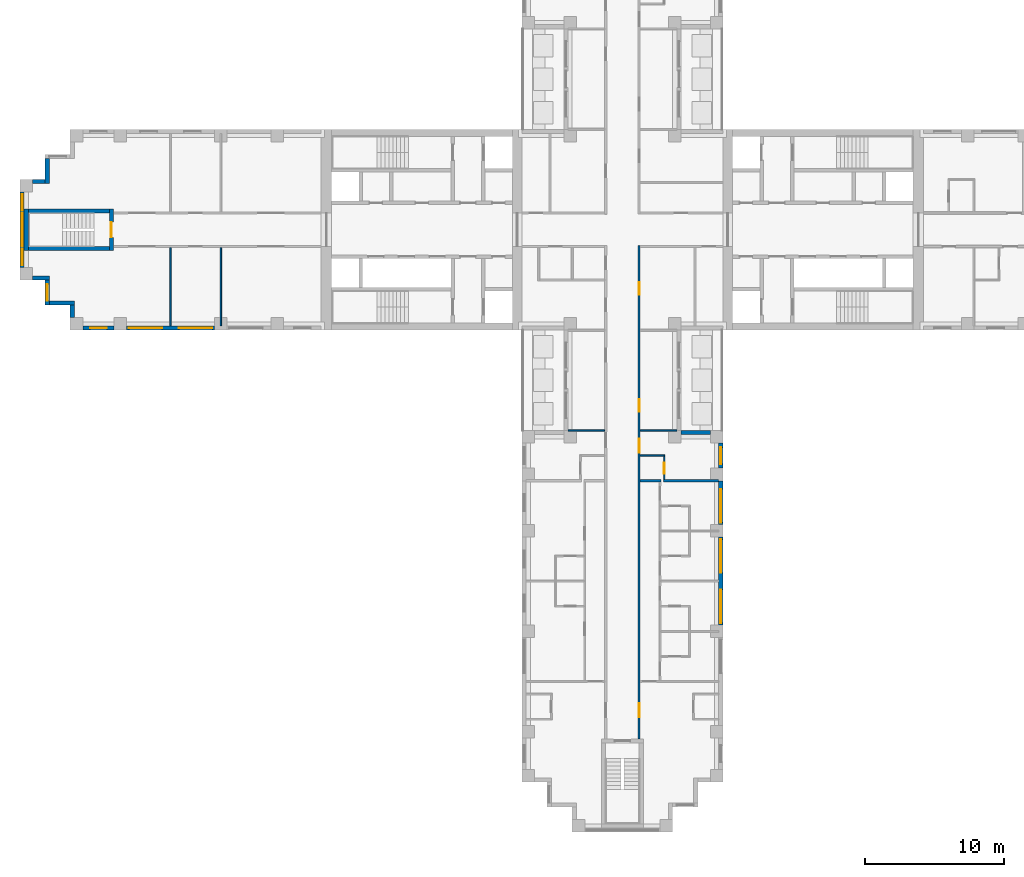
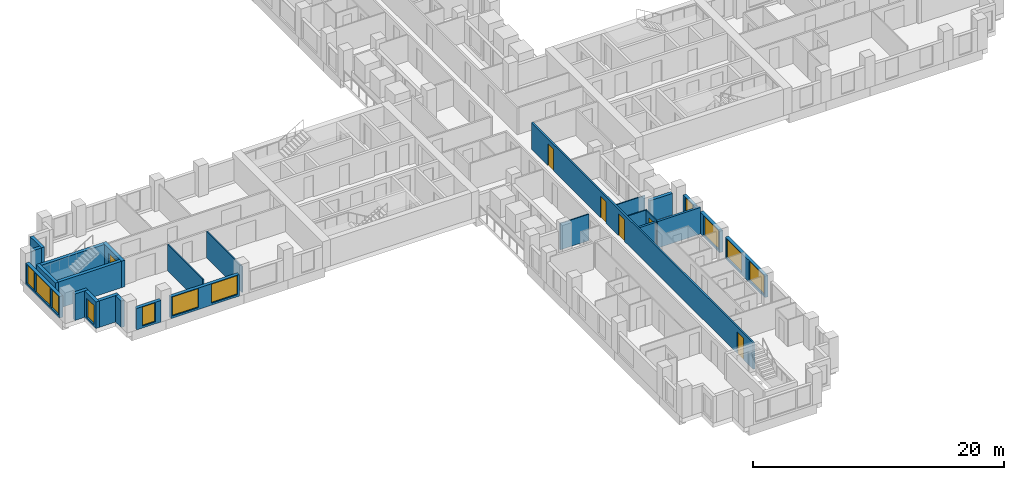
# One storey, part 5 of 15: 26 walls, 11 windows, 6 doors, 17 openings.
"""IFC4 building model written with IfcOpenShell, lengths in metres."""

import ifcopenshell
import ifcopenshell.guid

model = None  # the IFC model being written
_history = None  # IfcOwnerHistory: only IFC2X3 demands one
_inside = {}  # id of a spatial element -> (the spatial element, [elements in it])
_under = {}  # id of a project, library or spatial element -> (it, [spatial elements below it])
_declared = {}  # id of a project -> (the project, [libraries it declares])
_typed = {}  # id of a type object -> (the type object, [elements of that type])
_made_of = {}  # id of a material, layer set ... -> (it, [elements and type objects made of it])


def new_model(schema):
    """Start an empty IFC model of exactly this schema.

    Asked for "IFC4X3", IfcOpenShell would pick the latest addendum, in which some entities
    have other attributes; the version numbers below select the first issue.
    IFC2X3 requires an IfcOwnerHistory on every rooted entity: one is made here for all.
    """
    global model, _history
    if schema == "IFC4X3":
        model = ifcopenshell.file(schema_version=(4, 3, 0, 0))
    else:
        model = ifcopenshell.file(schema=schema)
    _inside.clear()
    _under.clear()
    _declared.clear()
    _typed.clear()
    _made_of.clear()
    _history = None
    if model.schema == "IFC2X3":
        org = make("IfcOrganization", Name="unknown")
        user = make(
            "IfcPersonAndOrganization",
            ThePerson=make("IfcPerson", FamilyName="unknown"),
            TheOrganization=org,
        )
        app = make(
            "IfcApplication",
            ApplicationDeveloper=org,
            Version="unknown",
            ApplicationFullName="unknown",
            ApplicationIdentifier="unknown",
        )
        _history = make(
            "IfcOwnerHistory",
            OwningUser=user,
            OwningApplication=app,
            ChangeAction="ADDED",
            CreationDate=0,
        )
    return model


def make(cls, **values):
    """One entity of the class cls with the attributes given. An attribute that is None is left unset."""
    return model.create_entity(
        cls, **{name: value for name, value in values.items() if value is not None}
    )


def rooted(cls, **values):
    """An entity with a GlobalId (a new one), such as an element, a storey or a relation."""
    return make(cls, GlobalId=ifcopenshell.guid.new(), OwnerHistory=_history, **values)


def si_unit(unit_type, name, prefix=None):
    """IfcSIUnit, for example si_unit("LENGTHUNIT", "METRE", prefix="MILLI")."""
    return make("IfcSIUnit", UnitType=unit_type, Prefix=prefix, Name=name)


def assignment(units):
    """IfcUnitAssignment: the units of a project."""
    return None if units is None else make("IfcUnitAssignment", Units=units)


def point(xyz):
    """IfcCartesianPoint."""
    return None if xyz is None else make("IfcCartesianPoint", Coordinates=xyz)


def direction(xyz):
    """IfcDirection."""
    return None if xyz is None else make("IfcDirection", DirectionRatios=xyz)


def frame(location, z_axis=None, x_axis=None):
    """IfcAxis2Placement3D, a coordinate frame: its origin and axes. An axis left out is left unset."""
    return make(
        "IfcAxis2Placement3D",
        Location=point(location),
        Axis=direction(z_axis),
        RefDirection=direction(x_axis),
    )


def frame_2d(location, x_axis=None):
    """IfcAxis2Placement2D, a coordinate frame in the plane: its origin and x axis."""
    return make(
        "IfcAxis2Placement2D", Location=point(location), RefDirection=direction(x_axis)
    )


def origin():
    """The frame at (0, 0, 0) with its axes left unset."""
    return frame((0.0, 0.0, 0.0))


def place(relative_to, where):
    """IfcLocalPlacement: puts the frame where relative to a parent placement (None: the world)."""
    return make(
        "IfcLocalPlacement", PlacementRelTo=relative_to, RelativePlacement=where
    )


def context(
    kind, dimensions, precision=None, world=None, true_north=None, identifier=None
):
    """IfcGeometricRepresentationContext, for example the 3D "Model" context."""
    return make(
        "IfcGeometricRepresentationContext",
        ContextIdentifier=identifier,
        ContextType=kind,
        CoordinateSpaceDimension=dimensions,
        Precision=precision,
        WorldCoordinateSystem=world,
        TrueNorth=true_north,
    )


def subcontext(parent, identifier, kind, view, scale=None):
    """IfcGeometricRepresentationSubContext, for example "Body" below "Model"."""
    return make(
        "IfcGeometricRepresentationSubContext",
        ContextIdentifier=identifier,
        ContextType=kind,
        ParentContext=parent,
        TargetScale=scale,
        TargetView=view,
    )


def project(units=None, contexts=None):
    """IfcProject with its units and contexts."""
    return rooted(
        "IfcProject",
        Name="project",
        RepresentationContexts=contexts,
        UnitsInContext=assignment(units),
    )


def spatial(cls, under=None, at=None, **own):
    """A site, building, storey or space (cls), placed at a placement, below another one or the project."""
    s = rooted(cls, ObjectPlacement=at, **own)
    if under is not None:
        _under.setdefault(under.id(), (under, []))[1].append(s)
    return s


def profile(cls, at=None, kind="AREA", **sizes):
    """A parametric profile (cls). Its sizes go by their IFC names, for example OverallWidth=200.0."""
    return make(cls, ProfileType=kind, Position=at, **sizes)


def rectangle(**sizes):
    """IfcRectangleProfileDef."""
    return profile("IfcRectangleProfileDef", **sizes)


def extrude(swept, where, along, depth):
    """IfcExtrudedAreaSolid: the profile swept, set in the frame where, extruded along a direction by depth."""
    return make(
        "IfcExtrudedAreaSolid",
        SweptArea=swept,
        Position=where,
        ExtrudedDirection=direction(along),
        Depth=depth,
    )


def shape(context_of_items, identifier, shape_type, items):
    """IfcShapeRepresentation: the items that make up one representation, for example the "Body"."""
    return make(
        "IfcShapeRepresentation",
        ContextOfItems=context_of_items,
        RepresentationIdentifier=identifier,
        RepresentationType=shape_type,
        Items=items,
    )


def material(Name=None, Category=None):
    """IfcMaterial."""
    return make("IfcMaterial", Name=Name, Category=Category)


def layer(
    of_material, thickness, ventilated=None, Name=None, Category=None, Priority=None
):
    """IfcMaterialLayer: one layer of a wall or slab, of a material (None: an air gap)."""
    return make(
        "IfcMaterialLayer",
        Material=of_material,
        LayerThickness=thickness,
        IsVentilated=ventilated,
        Name=Name,
        Category=Category,
        Priority=Priority,
    )


def layer_set(layers, Name=None):
    """IfcMaterialLayerSet."""
    return make("IfcMaterialLayerSet", MaterialLayers=layers, LayerSetName=Name)


def made_of(thing, what):
    """Note that an element or type object is made of a material, layer set ...; save() writes the relation."""
    if what is not None:
        _made_of.setdefault(what.id(), (what, []))[1].append(thing)
    return thing


def type_object(cls, material=None, **own):
    """A type object (cls), such as IfcWallType, which elements share."""
    return made_of(rooted(cls, **own), material)


def element(
    cls,
    number,
    at=None,
    inside=None,
    cuts=None,
    type_object=None,
    material=None,
    context=None,
    identifier="Body",
    shape_type=None,
    held_by="IfcProductDefinitionShape",
    body=None,
    shapes=None,
    **own,
):
    """One element of the class cls, such as IfcWall. Its Tag is "e" and its number.

    at: its placement. inside: the storey or other place that contains it. cuts: it is an
    opening in that element (IfcRelVoidsElement). A single representation is given by context,
    identifier, shape_type and body (its items); several are given by shapes. held_by: the class
    of the entity that holds the representations. save() writes the other relations.
    """
    e = rooted(cls, Tag="e%d" % number, ObjectPlacement=at, **own)
    if body is not None:
        shapes = [shape(context, identifier, shape_type, body)]
    if shapes is not None:
        e.Representation = make(held_by, Representations=shapes)
    if inside is not None:
        _inside.setdefault(inside.id(), (inside, []))[1].append(e)
    if cuts is not None:
        rooted(
            "IfcRelVoidsElement", RelatingBuildingElement=cuts, RelatedOpeningElement=e
        )
    if type_object is not None:
        _typed.setdefault(type_object.id(), (type_object, []))[1].append(e)
    return made_of(e, material)


def fill(opening, filler):
    """IfcRelFillsElement: the door or window that sits in an opening."""
    return rooted(
        "IfcRelFillsElement",
        RelatingOpeningElement=opening,
        RelatedBuildingElement=filler,
    )


def aggregate(whole, parts):
    """IfcRelAggregates: a whole, such as a stair, and the parts it consists of."""
    return rooted("IfcRelAggregates", RelatingObject=whole, RelatedObjects=parts)


def save(model, path):
    """Write the relations noted so far, then the file.

    IfcRelAggregates (storeys below a building ...), IfcRelContainedInSpatialStructure (elements
    in a storey), IfcRelDefinesByType, IfcRelAssociatesMaterial and IfcRelDeclares: one each for
    every whole, place, type object, material and project.
    """
    for whole, parts in _under.values():
        aggregate(whole, parts)
    for where, things in _inside.values():
        rooted(
            "IfcRelContainedInSpatialStructure",
            RelatedElements=things,
            RelatingStructure=where,
        )
    for kind, things in _typed.values():
        rooted("IfcRelDefinesByType", RelatedObjects=things, RelatingType=kind)
    for what, things in _made_of.values():
        rooted("IfcRelAssociatesMaterial", RelatedObjects=things, RelatingMaterial=what)
    for by, libraries in _declared.values():
        rooted("IfcRelDeclares", RelatingContext=by, RelatedDefinitions=libraries)
    model.write(path)


model = new_model("IFC4")

# Units and contexts
model_context = context("Model", 3, precision=1e-05, world=origin(), true_north=direction((0.0, 1.0)))
body_context = subcontext(model_context, "Body", "Model", "MODEL_VIEW")
ifc_project = project(units=[si_unit("LENGTHUNIT", "METRE"), si_unit("AREAUNIT", "SQUARE_METRE"), si_unit("VOLUMEUNIT", "CUBIC_METRE"), si_unit("PLANEANGLEUNIT", "RADIAN"), si_unit("MASSUNIT", "GRAM", prefix="KILO")], contexts=[model_context])

# Site, building, storey
site_placement = place(None, origin())
site = spatial("IfcSite", under=ifc_project, at=site_placement, CompositionType="ELEMENT")
building_placement = place(site_placement, origin())
building = spatial("IfcBuilding", under=site, at=building_placement, Name="Fustian Cross Tower", CompositionType="ELEMENT")
storey_placement = place(building_placement, frame((0.0, 0.0, 29.699951171875)))
storey = spatial("IfcBuildingStorey", under=building, at=storey_placement, Name="L08", CompositionType="ELEMENT", Elevation=29.699951171875)

# Wall, openings, doors
ifc_material_1 = material(Name="Plasterboard on steel stud", Category="steel")
ifc_layer_1 = layer(ifc_material_1, 0.14990234375)
ifc_layer_set_1 = layer_set([ifc_layer_1], Name="Plasterboard on steel stud")
wall_type_1 = type_object("IfcWallType", Name="COMPARTMENT WALL 150 EI 60", PredefinedType="PARTITIONING", material=ifc_layer_set_1)
wall_1_placement = place(storey_placement, frame((1.199951171875, -36.5, 0.0), z_axis=(0.0, 0.0, 1.0), x_axis=(0.0, 1.0, 0.0)))
wall_1 = element("IfcWall", 1, at=wall_1_placement, inside=storey, type_object=wall_type_1, Name="Partition 47", PredefinedType="PARTITIONING", context=body_context, shape_type="SweptSolid", body=[
    extrude(rectangle(XDim=35.375, YDim=0.14990234375, at=frame_2d((17.6875, 0.0))), origin(), (0.0, 0.0, 1.0), 2.574951171875),
])
opening_1_placement = place(wall_1_placement, frame((31.85009765625, 0.0, 0.0)))
opening_1 = element("IfcOpeningElement", 2, at=opening_1_placement, cuts=wall_1, Name="Opening D06005", PredefinedType="OPENING", context=body_context, shape_type="SweptSolid", body=[
    extrude(rectangle(XDim=0.89990234375, YDim=2.10009765625, at=frame_2d((0.449951171875, 1.050048828125))), frame((0.0, 0.0849609375, 0.0), z_axis=(0.0, -1.0, 0.0), x_axis=(1.0, 0.0, 0.0)), (0.0, 0.0, 1.0), 0.169921875),
])
opening_2_placement = place(wall_1_placement, frame((23.449951171875, 0.0, 0.0)))
opening_2 = element("IfcOpeningElement", 3, at=opening_2_placement, cuts=wall_1, Name="Opening D06048", PredefinedType="OPENING", context=body_context, shape_type="SweptSolid", body=[
    extrude(rectangle(XDim=0.89990234375, YDim=2.10009765625, at=frame_2d((0.449951171875, 1.050048828125))), frame((0.0, 0.0849609375, 0.0), z_axis=(0.0, -1.0, 0.0), x_axis=(1.0, 0.0, 0.0)), (0.0, 0.0, 1.0), 0.169921875),
])
opening_3_placement = place(wall_1_placement, frame((20.5, 0.0, 0.0)))
opening_3 = element("IfcOpeningElement", 4, at=opening_3_placement, cuts=wall_1, Name="Opening D06050", PredefinedType="OPENING", context=body_context, shape_type="SweptSolid", body=[
    extrude(rectangle(XDim=1.0, YDim=2.10009765625, at=frame_2d((0.5, 1.050048828125))), frame((0.0, 0.0849609375, 0.0), z_axis=(0.0, -1.0, 0.0), x_axis=(1.0, 0.0, 0.0)), (0.0, 0.0, 1.0), 0.169921875),
])
opening_4_placement = place(wall_1_placement, frame((1.550048828125, 0.0, 0.0)))
opening_4 = element("IfcOpeningElement", 5, at=opening_4_placement, cuts=wall_1, Name="Opening D06052", PredefinedType="OPENING", context=body_context, shape_type="SweptSolid", body=[
    extrude(rectangle(XDim=1.0, YDim=2.10009765625, at=frame_2d((0.5, 1.050048828125))), frame((0.0, 0.0849609375, 0.0), z_axis=(0.0, -1.0, 0.0), x_axis=(1.0, 0.0, 0.0)), (0.0, 0.0, 1.0), 0.169921875),
])
ifc_material_2 = material(Name="Timber fire door set", Category="wood")
door_type_1 = type_object("IfcDoorType", Name="FIRE SWING DOOR 1000 FD30S", OperationType="SINGLE_SWING_LEFT", PredefinedType="DOOR", material=ifc_material_2)
door_1_placement = place(opening_3_placement, frame((1.0, 0.0, 0.0), z_axis=(0.0, 0.0, 1.0), x_axis=(-1.0, 0.0, 0.0)))
door_1 = element("IfcDoor", 6, at=door_1_placement, inside=storey, type_object=door_type_1, Name="Door D06050", OperationType="SINGLE_SWING_RIGHT", OverallHeight=2.10009765625, OverallWidth=1.0, PredefinedType="DOOR", context=body_context, shape_type="SweptSolid", body=[
    extrude(rectangle(XDim=1.0, YDim=2.10009765625, at=frame_2d((0.5, 1.050048828125))), frame((0.0, 0.02490234375, 0.0), z_axis=(0.0, -1.0, 0.0), x_axis=(1.0, 0.0, 0.0)), (0.0, 0.0, 1.0), 0.050048828125),
])
fill(opening_3, door_1)
door_2_placement = place(opening_4_placement, frame((1.0, 0.0, 0.0), z_axis=(0.0, 0.0, 1.0), x_axis=(-1.0, 0.0, 0.0)))
door_2 = element("IfcDoor", 7, at=door_2_placement, inside=storey, type_object=door_type_1, Name="Door D06052", OperationType="SINGLE_SWING_LEFT", OverallHeight=2.10009765625, OverallWidth=1.0, PredefinedType="DOOR", context=body_context, shape_type="SweptSolid", body=[
    extrude(rectangle(XDim=1.0, YDim=2.10009765625, at=frame_2d((0.5, 1.050048828125))), frame((0.0, 0.02490234375, 0.0), z_axis=(0.0, -1.0, 0.0), x_axis=(1.0, 0.0, 0.0)), (0.0, 0.0, 1.0), 0.050048828125),
])
fill(opening_4, door_2)
ifc_material_3 = material(Name="Timber fire door set", Category="wood")
door_type_2 = type_object("IfcDoorType", Name="FIRE SWING DOOR 900 FD30S", OperationType="SINGLE_SWING_LEFT", PredefinedType="DOOR", material=ifc_material_3)
door_3_placement = place(opening_1_placement, frame((0.89990234375, 0.0, 0.0), z_axis=(0.0, 0.0, 1.0), x_axis=(-1.0, 0.0, 0.0)))
door_3 = element("IfcDoor", 8, at=door_3_placement, inside=storey, type_object=door_type_2, Name="Door D06005", OperationType="SINGLE_SWING_RIGHT", OverallHeight=2.10009765625, OverallWidth=0.89990234375, PredefinedType="DOOR", context=body_context, shape_type="SweptSolid", body=[
    extrude(rectangle(XDim=0.89990234375, YDim=2.10009765625, at=frame_2d((0.449951171875, 1.050048828125))), frame((0.0, 0.02490234375, 0.0), z_axis=(0.0, -1.0, 0.0), x_axis=(1.0, 0.0, 0.0)), (0.0, 0.0, 1.0), 0.050048828125),
])
fill(opening_1, door_3)
door_4_placement = place(opening_2_placement, frame((0.89990234375, 0.0, 0.0), z_axis=(0.0, 0.0, 1.0), x_axis=(-1.0, 0.0, 0.0)))
door_4 = element("IfcDoor", 9, at=door_4_placement, inside=storey, type_object=door_type_2, Name="Door D06048", OperationType="SINGLE_SWING_RIGHT", OverallHeight=2.10009765625, OverallWidth=0.89990234375, PredefinedType="DOOR", context=body_context, shape_type="SweptSolid", body=[
    extrude(rectangle(XDim=0.89990234375, YDim=2.10009765625, at=frame_2d((0.449951171875, 1.050048828125))), frame((0.0, 0.02490234375, 0.0), z_axis=(0.0, -1.0, 0.0), x_axis=(1.0, 0.0, 0.0)), (0.0, 0.0, 1.0), 0.050048828125),
])
fill(opening_2, door_4)

# Walls
ifc_material_4 = material(Name="Plasterboard on steel stud", Category="steel")
ifc_layer_2 = layer(ifc_material_4, 0.10009765625)
ifc_layer_set_2 = layer_set([ifc_layer_2], Name="Plasterboard on steel stud")
wall_type_2 = type_object("IfcWallType", Name="PARTITION 100 STUD", PredefinedType="PARTITIONING", material=ifc_layer_set_2)
for number, where, z_axis, x_axis, name in (
    (10, (-32.39990234375, -6.89990234375, 0.0), (0.0, 0.0, 1.0), (0.0, 1.0, 0.0), "Partition 3"),
    (11, (-28.800048828125, -6.89990234375, 0.0), (0.0, 0.0, 1.0), (0.0, 1.0, 0.0), "Partition 5"),
):
    element("IfcWall", number, at=place(storey_placement, frame(where, z_axis=z_axis, x_axis=x_axis)), inside=storey, type_object=wall_type_2, Name=name, PredefinedType="PARTITIONING", context=body_context, shape_type="SweptSolid", body=[
        extrude(rectangle(XDim=5.625, YDim=0.10009765625, at=frame_2d((2.8125, 0.0))), origin(), (0.0, 0.0, 1.0), 2.574951171875),
    ])
wall_2_placement = place(storey_placement, frame((-3.89990234375, -14.39990234375, 0.0), z_axis=(0.0, 0.0, 1.0), x_axis=(1.0, 0.0, 0.0)))
element("IfcWall", 12, at=wall_2_placement, inside=storey, type_object=wall_type_2, Name="Partition 35", PredefinedType="PARTITIONING", context=body_context, shape_type="SweptSolid", body=[
    extrude(rectangle(XDim=2.625, YDim=0.10009765625, at=frame_2d((1.3125, 0.0))), origin(), (0.0, 0.0, 1.0), 2.574951171875),
])
wall_3_placement = place(storey_placement, frame((1.27490234375, -16.199951171875, 0.0), z_axis=(0.0, 0.0, 1.0), x_axis=(1.0, 0.0, 0.0)))
element("IfcWall", 13, at=wall_3_placement, inside=storey, type_object=wall_type_2, Name="Partition 50", PredefinedType="PARTITIONING", context=body_context, shape_type="SweptSolid", body=[
    extrude(rectangle(XDim=1.775146484375, YDim=0.10009765625, at=frame_2d((0.8876953125, 0.0))), origin(), (0.0, 0.0, 1.0), 2.574951171875),
])
wall_4_placement = place(storey_placement, frame((1.27490234375, -14.39990234375, 0.0), z_axis=(0.0, 0.0, 1.0), x_axis=(1.0, 0.0, 0.0)))
element("IfcWall", 14, at=wall_4_placement, inside=storey, type_object=wall_type_2, Name="Partition 51", PredefinedType="PARTITIONING", context=body_context, shape_type="SweptSolid", body=[
    extrude(rectangle(XDim=2.625, YDim=0.10009765625, at=frame_2d((1.3125, 0.0))), origin(), (0.0, 0.0, 1.0), 2.574951171875),
])

# Wall, opening, door
wall_5_placement = place(storey_placement, frame((3.0, -17.89990234375, 0.0), z_axis=(0.0, 0.0, 1.0), x_axis=(0.0, 1.0, 0.0)))
wall_5 = element("IfcWall", 15, at=wall_5_placement, inside=storey, type_object=wall_type_2, Name="Partition 74", PredefinedType="PARTITIONING", context=body_context, shape_type="SweptSolid", body=[
    extrude(rectangle(XDim=1.64990234375, YDim=0.10009765625, at=frame_2d((0.824951171875, 0.0))), origin(), (0.0, 0.0, 1.0), 2.574951171875),
])
opening_5_placement = place(wall_5_placement, frame((0.39990234375, 0.0, 0.0)))
opening_5 = element("IfcOpeningElement", 16, at=opening_5_placement, cuts=wall_5, Name="Opening D06049", PredefinedType="OPENING", context=body_context, shape_type="SweptSolid", body=[
    extrude(rectangle(XDim=0.800048828125, YDim=2.10009765625, at=frame_2d((0.39990234375, 1.050048828125))), frame((0.0, 0.06005859375, 0.0), z_axis=(0.0, -1.0, 0.0), x_axis=(1.0, 0.0, 0.0)), (0.0, 0.0, 1.0), 0.1201171875),
])
ifc_material_5 = material(Name="Painted timber", Category="wood")
door_type_3 = type_object("IfcDoorType", Name="SWING DOOR 800", OperationType="SINGLE_SWING_LEFT", PredefinedType="DOOR", material=ifc_material_5)
door_5_placement = place(opening_5_placement, origin())
door_5 = element("IfcDoor", 17, at=door_5_placement, inside=storey, type_object=door_type_3, Name="Door D06049", OperationType="SINGLE_SWING_RIGHT", OverallHeight=2.10009765625, OverallWidth=0.800048828125, PredefinedType="DOOR", context=body_context, shape_type="SweptSolid", body=[
    extrude(rectangle(XDim=0.800048828125, YDim=2.10009765625, at=frame_2d((0.39990234375, 1.050048828125))), frame((0.0, 0.02490234375, 0.0), z_axis=(0.0, -1.0, 0.0), x_axis=(1.0, 0.0, 0.0)), (0.0, 0.0, 1.0), 0.050048828125),
])
fill(opening_5, door_5)

# Walls
ifc_material_6 = material(Name="Plasterboard on steel stud", Category="steel")
ifc_layer_3 = layer(ifc_material_6, 0.199951171875)
ifc_layer_set_3 = layer_set([ifc_layer_3], Name="Plasterboard on steel stud")
wall_type_3 = type_object("IfcWallType", Name="PARTY WALL 200 EI 60", PredefinedType="PARTITIONING", material=ifc_layer_set_3)
wall_6_placement = place(storey_placement, frame((1.27490234375, -18.0, 0.0), z_axis=(0.0, 0.0, 1.0), x_axis=(1.0, 0.0, 0.0)))
element("IfcWall", 18, at=wall_6_placement, inside=storey, type_object=wall_type_3, Name="Partition 49", PredefinedType="PARTITIONING", context=body_context, shape_type="SweptSolid", body=[
    extrude(rectangle(XDim=1.47509765625, YDim=0.199951171875, at=frame_2d((0.737548828125, 0.0))), origin(), (0.0, 0.0, 1.0), 2.574951171875),
])
wall_7_placement = place(storey_placement, frame((2.949951171875, -18.0, 0.0), z_axis=(0.0, 0.0, 1.0), x_axis=(1.0, 0.0, 0.0)))
element("IfcWall", 19, at=wall_7_placement, inside=storey, type_object=wall_type_3, Name="Partition 75", PredefinedType="PARTITIONING", context=body_context, shape_type="SweptSolid", body=[
    extrude(rectangle(XDim=3.949951171875, YDim=0.199951171875, at=frame_2d((1.97509765625, 0.0))), origin(), (0.0, 0.0, 1.0), 2.574951171875),
])

# Wall, opening, door
ifc_material_7 = material(Name="Concrete C50/60", Category="concrete")
ifc_layer_4 = layer(ifc_material_7, 0.300048828125)
ifc_layer_set_4 = layer_set([ifc_layer_4], Name="Concrete C50/60")
wall_type_4 = type_object("IfcWallType", Name="STAIR ENCLOSURE WALL 300 C50/60", PredefinedType="SHEAR", material=ifc_layer_set_4)
wall_8_placement = place(storey_placement, frame((-36.64990234375, -1.5, 0.0), z_axis=(0.0, 0.0, 1.0), x_axis=(0.0, 1.0, 0.0)))
wall_8 = element("IfcWall", 20, at=wall_8_placement, inside=storey, type_object=wall_type_4, Name="Stair enclosure wall", PredefinedType="SHEAR", context=body_context, shape_type="SweptSolid", body=[
    extrude(rectangle(XDim=3.0, YDim=0.300048828125, at=frame_2d((1.5, 0.0))), origin(), (0.0, 0.0, 1.0), 2.574951171875),
])
opening_6_placement = place(wall_8_placement, frame((0.949951171875, 0.0, 0.0)))
opening_6 = element("IfcOpeningElement", 21, at=opening_6_placement, cuts=wall_8, Name="Opening CD-06-34", PredefinedType="OPENING", context=body_context, shape_type="SweptSolid", body=[
    extrude(rectangle(XDim=1.10009765625, YDim=2.10009765625, at=frame_2d((0.550048828125, 1.050048828125))), frame((0.0, 0.159912109375, 0.0), z_axis=(0.0, -1.0, 0.0), x_axis=(1.0, 0.0, 0.0)), (0.0, 0.0, 1.0), 0.320068359375),
])
ifc_material_8 = material(Name="Steel", Category="steel")
door_type_4 = type_object("IfcDoorType", Name="FIRE DOOR FD60S 1100X2100", OperationType="SINGLE_SWING_LEFT", PredefinedType="DOOR", material=ifc_material_8)
door_6_placement = place(opening_6_placement, origin())
door_6 = element("IfcDoor", 22, at=door_6_placement, inside=storey, type_object=door_type_4, Name="Core door CD-06-34", OperationType="SINGLE_SWING_LEFT", OverallHeight=2.10009765625, OverallWidth=1.10009765625, PredefinedType="DOOR", context=body_context, shape_type="SweptSolid", body=[
    extrude(rectangle(XDim=1.10009765625, YDim=2.10009765625, at=frame_2d((0.550048828125, 1.050048828125))), frame((0.0, 0.02490234375, 0.0), z_axis=(0.0, -1.0, 0.0), x_axis=(1.0, 0.0, 0.0)), (0.0, 0.0, 1.0), 0.050048828125),
])
fill(opening_6, door_6)

# Walls
wall_9_placement = place(storey_placement, frame((-42.75, -1.5, 0.0), z_axis=(0.0, 0.0, 1.0), x_axis=(0.0, 1.0, 0.0)))
element("IfcWall", 23, at=wall_9_placement, inside=storey, type_object=wall_type_4, Name="Stair enclosure wall", PredefinedType="SHEAR", context=body_context, shape_type="SweptSolid", body=[
    extrude(rectangle(XDim=3.0, YDim=0.300048828125, at=frame_2d((1.5, 0.0))), origin(), (0.0, 0.0, 1.0), 2.574951171875),
])
for number, where, z_axis, x_axis, name in (
    (24, (-36.800048828125, -1.35009765625, 0.0), (0.0, 0.0, 1.0), (-1.0, 0.0, 0.0), "Stair enclosure wall"),
    (25, (-36.800048828125, 1.35009765625, 0.0), (0.0, 0.0, 1.0), (-1.0, 0.0, 0.0), "Stair enclosure wall"),
):
    element("IfcWall", number, at=place(storey_placement, frame(where, z_axis=z_axis, x_axis=x_axis)), inside=storey, type_object=wall_type_4, Name=name, PredefinedType="SHEAR", context=body_context, shape_type="SweptSolid", body=[
        extrude(rectangle(XDim=5.800048828125, YDim=0.300048828125, at=frame_2d((2.89990234375, 0.0))), origin(), (0.0, 0.0, 1.0), 2.574951171875),
    ])
ifc_material_9 = material(Name="Dark aluminium cladding on insulated backing wall", Category="aluminium")
ifc_layer_5 = layer(ifc_material_9, 0.300048828125)
ifc_layer_set_5 = layer_set([ifc_layer_5], Name="Dark aluminium cladding on insulated backing wall")
wall_type_5 = type_object("IfcWallType", Name="XW1 EXTERNAL WALL 300", PredefinedType="SOLIDWALL", material=ifc_layer_set_5)
wall_10_placement = place(storey_placement, frame((-41.25, 5.10009765625, 0.0), z_axis=(0.0, 0.0, 1.0), x_axis=(0.0, -1.0, 0.0)))
element("IfcWall", 26, at=wall_10_placement, inside=storey, type_object=wall_type_5, Name="External wall", PredefinedType="SOLIDWALL", context=body_context, shape_type="SweptSolid", body=[
    extrude(rectangle(XDim=1.800048828125, YDim=0.300048828125, at=frame_2d((0.89990234375, 0.0))), origin(), (0.0, 0.0, 1.0), 2.574951171875),
])
wall_11_placement = place(storey_placement, frame((-41.39990234375, 3.449951171875, 0.0), z_axis=(0.0, 0.0, 1.0), x_axis=(-1.0, 0.0, 0.0)))
element("IfcWall", 27, at=wall_11_placement, inside=storey, type_object=wall_type_5, Name="External wall", PredefinedType="SOLIDWALL", context=body_context, shape_type="SweptSolid", body=[
    extrude(rectangle(XDim=0.900146484375, YDim=0.300048828125, at=frame_2d((0.4501953125, 0.0))), origin(), (0.0, 0.0, 1.0), 2.574951171875),
])

# Wall, openings, windows
wall_12_placement = place(storey_placement, frame((-43.050048828125, 2.699951171875, 0.0), z_axis=(0.0, 0.0, 1.0), x_axis=(0.0, -1.0, 0.0)))
wall_12 = element("IfcWall", 28, at=wall_12_placement, inside=storey, type_object=wall_type_5, Name="External wall", PredefinedType="SOLIDWALL", context=body_context, shape_type="SweptSolid", body=[
    extrude(rectangle(XDim=5.39990234375, YDim=0.300048828125, at=frame_2d((2.699951171875, 0.0))), origin(), (0.0, 0.0, 1.0), 2.10009765625),
])
opening_7_placement = place(wall_12_placement, frame((1.5, 0.0, 0.199951171875)))
opening_7 = element("IfcOpeningElement", 29, at=opening_7_placement, cuts=wall_12, Name="Opening WN1", PredefinedType="OPENING", context=body_context, shape_type="SweptSolid", body=[
    extrude(rectangle(XDim=2.39990234375, YDim=1.85009765625, at=frame_2d((1.199951171875, 0.925048828125))), frame((0.0, 0.159912109375, 0.0), z_axis=(0.0, -1.0, 0.0), x_axis=(1.0, 0.0, 0.0)), (0.0, 0.0, 1.0), 0.320068359375),
])
opening_8_placement = place(wall_12_placement, frame((0.14990234375, 0.0, 0.199951171875)))
opening_8 = element("IfcOpeningElement", 30, at=opening_8_placement, cuts=wall_12, Name="Opening WN3", PredefinedType="OPENING", context=body_context, shape_type="SweptSolid", body=[
    extrude(rectangle(XDim=1.199951171875, YDim=1.85009765625, at=frame_2d((0.60009765625, 0.925048828125))), frame((0.0, 0.159912109375, 0.0), z_axis=(0.0, -1.0, 0.0), x_axis=(1.0, 0.0, 0.0)), (0.0, 0.0, 1.0), 0.320068359375),
])
opening_9_placement = place(wall_12_placement, frame((4.050048828125, 0.0, 0.199951171875)))
opening_9 = element("IfcOpeningElement", 31, at=opening_9_placement, cuts=wall_12, Name="Opening WN3", PredefinedType="OPENING", context=body_context, shape_type="SweptSolid", body=[
    extrude(rectangle(XDim=1.199951171875, YDim=1.85009765625, at=frame_2d((0.60009765625, 0.925048828125))), frame((0.0, 0.159912109375, 0.0), z_axis=(0.0, -1.0, 0.0), x_axis=(1.0, 0.0, 0.0)), (0.0, 0.0, 1.0), 0.320068359375),
])
ifc_material_10 = material(Name="Dark anodised aluminium and double glazing", Category="aluminium")
window_type_1 = type_object("IfcWindowType", Name="WN1 WINDOW 2400X1850", PartitioningType="SINGLE_PANEL", PredefinedType="WINDOW", material=ifc_material_10)
window_1_placement = place(opening_7_placement, origin())
window_1 = element("IfcWindow", 32, at=window_1_placement, inside=storey, type_object=window_type_1, Name="Window", OverallHeight=1.85009765625, OverallWidth=2.39990234375, PartitioningType="SINGLE_PANEL", PredefinedType="WINDOW", context=body_context, shape_type="SweptSolid", body=[
    extrude(rectangle(XDim=2.39990234375, YDim=1.85009765625, at=frame_2d((1.199951171875, 0.925048828125))), frame((0.0, 0.030029296875, 0.0), z_axis=(0.0, -1.0, 0.0), x_axis=(1.0, 0.0, 0.0)), (0.0, 0.0, 1.0), 0.06005859375),
])
fill(opening_7, window_1)
ifc_material_11 = material(Name="Dark anodised aluminium and double glazing", Category="aluminium")
window_type_2 = type_object("IfcWindowType", Name="WN3 WINDOW 1200X1850", PartitioningType="SINGLE_PANEL", PredefinedType="WINDOW", material=ifc_material_11)
window_2_placement = place(opening_8_placement, origin())
window_2 = element("IfcWindow", 33, at=window_2_placement, inside=storey, type_object=window_type_2, Name="Window", OverallHeight=1.85009765625, OverallWidth=1.199951171875, PartitioningType="SINGLE_PANEL", PredefinedType="WINDOW", context=body_context, shape_type="SweptSolid", body=[
    extrude(rectangle(XDim=1.199951171875, YDim=1.85009765625, at=frame_2d((0.60009765625, 0.925048828125))), frame((0.0, 0.030029296875, 0.0), z_axis=(0.0, -1.0, 0.0), x_axis=(1.0, 0.0, 0.0)), (0.0, 0.0, 1.0), 0.06005859375),
])
fill(opening_8, window_2)
window_3_placement = place(opening_9_placement, origin())
window_3 = element("IfcWindow", 34, at=window_3_placement, inside=storey, type_object=window_type_2, Name="Window", OverallHeight=1.85009765625, OverallWidth=1.199951171875, PartitioningType="SINGLE_PANEL", PredefinedType="WINDOW", context=body_context, shape_type="SweptSolid", body=[
    extrude(rectangle(XDim=1.199951171875, YDim=1.85009765625, at=frame_2d((0.60009765625, 0.925048828125))), frame((0.0, 0.030029296875, 0.0), z_axis=(0.0, -1.0, 0.0), x_axis=(1.0, 0.0, 0.0)), (0.0, 0.0, 1.0), 0.06005859375),
])
fill(opening_9, window_3)

# Wall
wall_13_placement = place(storey_placement, frame((-42.300048828125, -3.449951171875, 0.0), z_axis=(0.0, 0.0, 1.0), x_axis=(1.0, 0.0, 0.0)))
element("IfcWall", 35, at=wall_13_placement, inside=storey, type_object=wall_type_5, Name="External wall", PredefinedType="SOLIDWALL", context=body_context, shape_type="SweptSolid", body=[
    extrude(rectangle(XDim=1.199951171875, YDim=0.300048828125, at=frame_2d((0.60009765625, 0.0))), origin(), (0.0, 0.0, 1.0), 2.574951171875),
])

# Wall, opening, window
wall_14_placement = place(storey_placement, frame((-41.25, -3.60009765625, 0.0), z_axis=(0.0, 0.0, 1.0), x_axis=(0.0, -1.0, 0.0)))
wall_14 = element("IfcWall", 36, at=wall_14_placement, inside=storey, type_object=wall_type_5, Name="External wall", PredefinedType="SOLIDWALL", context=body_context, shape_type="SweptSolid", body=[
    extrude(rectangle(XDim=1.7998046875, YDim=0.300048828125, at=frame_2d((0.89990234375, 0.0))), origin(), (0.0, 0.0, 1.0), 2.574951171875),
])
opening_10_placement = place(wall_14_placement, frame((0.300048828125, 0.0, 0.199951171875)))
opening_10 = element("IfcOpeningElement", 37, at=opening_10_placement, cuts=wall_14, Name="Opening WN3", PredefinedType="OPENING", context=body_context, shape_type="SweptSolid", body=[
    extrude(rectangle(XDim=1.199951171875, YDim=1.85009765625, at=frame_2d((0.60009765625, 0.925048828125))), frame((0.0, 0.159912109375, 0.0), z_axis=(0.0, -1.0, 0.0), x_axis=(1.0, 0.0, 0.0)), (0.0, 0.0, 1.0), 0.320068359375),
])
window_4_placement = place(opening_10_placement, origin())
window_4 = element("IfcWindow", 38, at=window_4_placement, inside=storey, type_object=window_type_2, Name="Window", OverallHeight=1.85009765625, OverallWidth=1.199951171875, PartitioningType="SINGLE_PANEL", PredefinedType="WINDOW", context=body_context, shape_type="SweptSolid", body=[
    extrude(rectangle(XDim=1.199951171875, YDim=1.85009765625, at=frame_2d((0.60009765625, 0.925048828125))), frame((0.0, 0.030029296875, 0.0), z_axis=(0.0, -1.0, 0.0), x_axis=(1.0, 0.0, 0.0)), (0.0, 0.0, 1.0), 0.06005859375),
])
fill(opening_10, window_4)

# Walls
wall_15_placement = place(storey_placement, frame((-41.10009765625, -5.25, 0.0), z_axis=(0.0, 0.0, 1.0), x_axis=(1.0, 0.0, 0.0)))
element("IfcWall", 39, at=wall_15_placement, inside=storey, type_object=wall_type_5, Name="External wall", PredefinedType="SOLIDWALL", context=body_context, shape_type="SweptSolid", body=[
    extrude(rectangle(XDim=1.800048828125, YDim=0.300048828125, at=frame_2d((0.89990234375, 0.0))), origin(), (0.0, 0.0, 1.0), 2.574951171875),
])
wall_16_placement = place(storey_placement, frame((-39.449951171875, -5.39990234375, 0.0), z_axis=(0.0, 0.0, 1.0), x_axis=(0.0, -1.0, 0.0)))
element("IfcWall", 40, at=wall_16_placement, inside=storey, type_object=wall_type_5, Name="External wall", PredefinedType="SOLIDWALL", context=body_context, shape_type="SweptSolid", body=[
    extrude(rectangle(XDim=0.900146484375, YDim=0.300048828125, at=frame_2d((0.4501953125, 0.0))), origin(), (0.0, 0.0, 1.0), 2.574951171875),
])

# Wall, opening, window
wall_17_placement = place(storey_placement, frame((-38.699951171875, -7.050048828125, 0.0), z_axis=(0.0, 0.0, 1.0), x_axis=(1.0, 0.0, 0.0)))
wall_17 = element("IfcWall", 41, at=wall_17_placement, inside=storey, type_object=wall_type_5, Name="External wall", PredefinedType="SOLIDWALL", context=body_context, shape_type="SweptSolid", body=[
    extrude(rectangle(XDim=2.25, YDim=0.300048828125, at=frame_2d((1.125, 0.0))), origin(), (0.0, 0.0, 1.0), 2.10009765625),
])
opening_11_placement = place(wall_17_placement, frame((0.52490234375, 0.0, 0.199951171875)))
opening_11 = element("IfcOpeningElement", 42, at=opening_11_placement, cuts=wall_17, Name="Opening WN3", PredefinedType="OPENING", context=body_context, shape_type="SweptSolid", body=[
    extrude(rectangle(XDim=1.199951171875, YDim=1.85009765625, at=frame_2d((0.60009765625, 0.925048828125))), frame((0.0, 0.159912109375, 0.0), z_axis=(0.0, -1.0, 0.0), x_axis=(1.0, 0.0, 0.0)), (0.0, 0.0, 1.0), 0.320068359375),
])
window_5_placement = place(opening_11_placement, origin())
window_5 = element("IfcWindow", 43, at=window_5_placement, inside=storey, type_object=window_type_2, Name="Window", OverallHeight=1.85009765625, OverallWidth=1.199951171875, PartitioningType="SINGLE_PANEL", PredefinedType="WINDOW", context=body_context, shape_type="SweptSolid", body=[
    extrude(rectangle(XDim=1.199951171875, YDim=1.85009765625, at=frame_2d((0.60009765625, 0.925048828125))), frame((0.0, 0.030029296875, 0.0), z_axis=(0.0, -1.0, 0.0), x_axis=(1.0, 0.0, 0.0)), (0.0, 0.0, 1.0), 0.06005859375),
])
fill(opening_11, window_5)

# Wall, openings, windows
wall_18_placement = place(storey_placement, frame((-35.550048828125, -7.050048828125, 0.0), z_axis=(0.0, 0.0, 1.0), x_axis=(1.0, 0.0, 0.0)))
wall_18 = element("IfcWall", 44, at=wall_18_placement, inside=storey, type_object=wall_type_5, Name="External wall", PredefinedType="SOLIDWALL", context=body_context, shape_type="SweptSolid", body=[
    extrude(rectangle(XDim=6.300048828125, YDim=0.300048828125, at=frame_2d((3.14990234375, 0.0))), origin(), (0.0, 0.0, 1.0), 2.10009765625),
])
opening_12_placement = place(wall_18_placement, frame((0.14990234375, 0.0, 0.199951171875)))
opening_12 = element("IfcOpeningElement", 45, at=opening_12_placement, cuts=wall_18, Name="Opening WN1", PredefinedType="OPENING", context=body_context, shape_type="SweptSolid", body=[
    extrude(rectangle(XDim=2.39990234375, YDim=1.85009765625, at=frame_2d((1.199951171875, 0.925048828125))), frame((0.0, 0.159912109375, 0.0), z_axis=(0.0, -1.0, 0.0), x_axis=(1.0, 0.0, 0.0)), (0.0, 0.0, 1.0), 0.320068359375),
])
opening_13_placement = place(wall_18_placement, frame((3.75, 0.0, 0.199951171875)))
opening_13 = element("IfcOpeningElement", 46, at=opening_13_placement, cuts=wall_18, Name="Opening WN1", PredefinedType="OPENING", context=body_context, shape_type="SweptSolid", body=[
    extrude(rectangle(XDim=2.39990234375, YDim=1.85009765625, at=frame_2d((1.199951171875, 0.925048828125))), frame((0.0, 0.159912109375, 0.0), z_axis=(0.0, -1.0, 0.0), x_axis=(1.0, 0.0, 0.0)), (0.0, 0.0, 1.0), 0.320068359375),
])
window_6_placement = place(opening_12_placement, origin())
window_6 = element("IfcWindow", 47, at=window_6_placement, inside=storey, type_object=window_type_1, Name="Window", OverallHeight=1.85009765625, OverallWidth=2.39990234375, PartitioningType="SINGLE_PANEL", PredefinedType="WINDOW", context=body_context, shape_type="SweptSolid", body=[
    extrude(rectangle(XDim=2.39990234375, YDim=1.85009765625, at=frame_2d((1.199951171875, 0.925048828125))), frame((0.0, 0.030029296875, 0.0), z_axis=(0.0, -1.0, 0.0), x_axis=(1.0, 0.0, 0.0)), (0.0, 0.0, 1.0), 0.06005859375),
])
fill(opening_12, window_6)
window_7_placement = place(opening_13_placement, origin())
window_7 = element("IfcWindow", 48, at=window_7_placement, inside=storey, type_object=window_type_1, Name="Window", OverallHeight=1.85009765625, OverallWidth=2.39990234375, PartitioningType="SINGLE_PANEL", PredefinedType="WINDOW", context=body_context, shape_type="SweptSolid", body=[
    extrude(rectangle(XDim=2.39990234375, YDim=1.85009765625, at=frame_2d((1.199951171875, 0.925048828125))), frame((0.0, 0.030029296875, 0.0), z_axis=(0.0, -1.0, 0.0), x_axis=(1.0, 0.0, 0.0)), (0.0, 0.0, 1.0), 0.06005859375),
])
fill(opening_13, window_7)

wall_19_placement = place(storey_placement, frame((7.050048828125, -28.35009765625, 0.0), z_axis=(0.0, 0.0, 1.0), x_axis=(0.0, 1.0, 0.0)))
wall_19 = element("IfcWall", 49, at=wall_19_placement, inside=storey, type_object=wall_type_5, Name="External wall", PredefinedType="SOLIDWALL", context=body_context, shape_type="SweptSolid", body=[
    extrude(rectangle(XDim=6.300048828125, YDim=0.300048828125, at=frame_2d((3.14990234375, 0.0))), origin(), (0.0, 0.0, 1.0), 2.10009765625),
])
opening_14_placement = place(wall_19_placement, frame((0.14990234375, 0.0, 0.199951171875)))
opening_14 = element("IfcOpeningElement", 50, at=opening_14_placement, cuts=wall_19, Name="Opening WN1", PredefinedType="OPENING", context=body_context, shape_type="SweptSolid", body=[
    extrude(rectangle(XDim=2.39990234375, YDim=1.85009765625, at=frame_2d((1.199951171875, 0.925048828125))), frame((0.0, 0.159912109375, 0.0), z_axis=(0.0, -1.0, 0.0), x_axis=(1.0, 0.0, 0.0)), (0.0, 0.0, 1.0), 0.320068359375),
])
opening_15_placement = place(wall_19_placement, frame((3.75, 0.0, 0.199951171875)))
opening_15 = element("IfcOpeningElement", 51, at=opening_15_placement, cuts=wall_19, Name="Opening WN1", PredefinedType="OPENING", context=body_context, shape_type="SweptSolid", body=[
    extrude(rectangle(XDim=2.39990234375, YDim=1.85009765625, at=frame_2d((1.199951171875, 0.925048828125))), frame((0.0, 0.159912109375, 0.0), z_axis=(0.0, -1.0, 0.0), x_axis=(1.0, 0.0, 0.0)), (0.0, 0.0, 1.0), 0.320068359375),
])
window_8_placement = place(opening_14_placement, origin())
window_8 = element("IfcWindow", 52, at=window_8_placement, inside=storey, type_object=window_type_1, Name="Window", OverallHeight=1.85009765625, OverallWidth=2.39990234375, PartitioningType="SINGLE_PANEL", PredefinedType="WINDOW", context=body_context, shape_type="SweptSolid", body=[
    extrude(rectangle(XDim=2.39990234375, YDim=1.85009765625, at=frame_2d((1.199951171875, 0.925048828125))), frame((0.0, 0.030029296875, 0.0), z_axis=(0.0, -1.0, 0.0), x_axis=(1.0, 0.0, 0.0)), (0.0, 0.0, 1.0), 0.06005859375),
])
fill(opening_14, window_8)
window_9_placement = place(opening_15_placement, origin())
window_9 = element("IfcWindow", 53, at=window_9_placement, inside=storey, type_object=window_type_1, Name="Window", OverallHeight=1.85009765625, OverallWidth=2.39990234375, PartitioningType="SINGLE_PANEL", PredefinedType="WINDOW", context=body_context, shape_type="SweptSolid", body=[
    extrude(rectangle(XDim=2.39990234375, YDim=1.85009765625, at=frame_2d((1.199951171875, 0.925048828125))), frame((0.0, 0.030029296875, 0.0), z_axis=(0.0, -1.0, 0.0), x_axis=(1.0, 0.0, 0.0)), (0.0, 0.0, 1.0), 0.06005859375),
])
fill(opening_15, window_9)

# Wall, opening, window
wall_20_placement = place(storey_placement, frame((7.050048828125, -21.14990234375, 0.0), z_axis=(0.0, 0.0, 1.0), x_axis=(0.0, 1.0, 0.0)))
wall_20 = element("IfcWall", 54, at=wall_20_placement, inside=storey, type_object=wall_type_5, Name="External wall", PredefinedType="SOLIDWALL", context=body_context, shape_type="SweptSolid", body=[
    extrude(rectangle(XDim=3.14990234375, YDim=0.300048828125, at=frame_2d((1.574951171875, 0.0))), origin(), (0.0, 0.0, 1.0), 2.10009765625),
])
opening_16_placement = place(wall_20_placement, frame((0.14990234375, 0.0, 0.199951171875)))
opening_16 = element("IfcOpeningElement", 55, at=opening_16_placement, cuts=wall_20, Name="Opening WN1", PredefinedType="OPENING", context=body_context, shape_type="SweptSolid", body=[
    extrude(rectangle(XDim=2.39990234375, YDim=1.85009765625, at=frame_2d((1.199951171875, 0.925048828125))), frame((0.0, 0.159912109375, 0.0), z_axis=(0.0, -1.0, 0.0), x_axis=(1.0, 0.0, 0.0)), (0.0, 0.0, 1.0), 0.320068359375),
])
window_10_placement = place(opening_16_placement, origin())
window_10 = element("IfcWindow", 56, at=window_10_placement, inside=storey, type_object=window_type_1, Name="Window", OverallHeight=1.85009765625, OverallWidth=2.39990234375, PartitioningType="SINGLE_PANEL", PredefinedType="WINDOW", context=body_context, shape_type="SweptSolid", body=[
    extrude(rectangle(XDim=2.39990234375, YDim=1.85009765625, at=frame_2d((1.199951171875, 0.925048828125))), frame((0.0, 0.030029296875, 0.0), z_axis=(0.0, -1.0, 0.0), x_axis=(1.0, 0.0, 0.0)), (0.0, 0.0, 1.0), 0.06005859375),
])
fill(opening_16, window_10)

wall_21_placement = place(storey_placement, frame((7.050048828125, -17.10009765625, 0.0), z_axis=(0.0, 0.0, 1.0), x_axis=(0.0, 1.0, 0.0)))
wall_21 = element("IfcWall", 57, at=wall_21_placement, inside=storey, type_object=wall_type_5, Name="External wall", PredefinedType="SOLIDWALL", context=body_context, shape_type="SweptSolid", body=[
    extrude(rectangle(XDim=1.800048828125, YDim=0.300048828125, at=frame_2d((0.89990234375, 0.0))), origin(), (0.0, 0.0, 1.0), 2.10009765625),
])
opening_17_placement = place(wall_21_placement, frame((0.300048828125, 0.0, 0.199951171875)))
opening_17 = element("IfcOpeningElement", 58, at=opening_17_placement, cuts=wall_21, Name="Opening WN3", PredefinedType="OPENING", context=body_context, shape_type="SweptSolid", body=[
    extrude(rectangle(XDim=1.199951171875, YDim=1.85009765625, at=frame_2d((0.60009765625, 0.925048828125))), frame((0.0, 0.159912109375, 0.0), z_axis=(0.0, -1.0, 0.0), x_axis=(1.0, 0.0, 0.0)), (0.0, 0.0, 1.0), 0.320068359375),
])
window_11_placement = place(opening_17_placement, origin())
window_11 = element("IfcWindow", 59, at=window_11_placement, inside=storey, type_object=window_type_2, Name="Window", OverallHeight=1.85009765625, OverallWidth=1.199951171875, PartitioningType="SINGLE_PANEL", PredefinedType="WINDOW", context=body_context, shape_type="SweptSolid", body=[
    extrude(rectangle(XDim=1.199951171875, YDim=1.85009765625, at=frame_2d((0.60009765625, 0.925048828125))), frame((0.0, 0.030029296875, 0.0), z_axis=(0.0, -1.0, 0.0), x_axis=(1.0, 0.0, 0.0)), (0.0, 0.0, 1.0), 0.06005859375),
])
fill(opening_17, window_11)

# Wall
wall_22_placement = place(storey_placement, frame((6.300048828125, -14.550048828125, 0.0), z_axis=(0.0, 0.0, 1.0), x_axis=(-1.0, 0.0, 0.0)))
element("IfcWall", 60, at=wall_22_placement, inside=storey, type_object=wall_type_5, Name="External wall", PredefinedType="SOLIDWALL", context=body_context, shape_type="SweptSolid", body=[
    extrude(rectangle(XDim=2.10009765625, YDim=0.300048828125, at=frame_2d((1.050048828125, 0.0))), origin(), (0.0, 0.0, 1.0), 2.10009765625),
])

save(model, "model.ifc")
